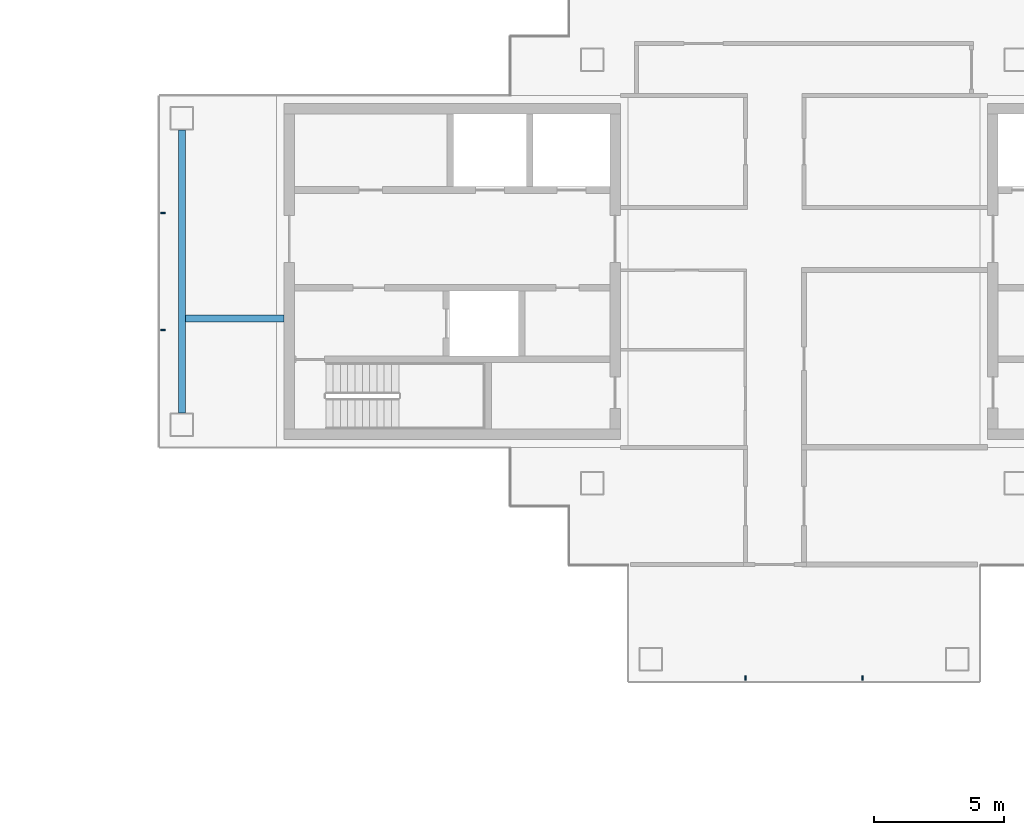
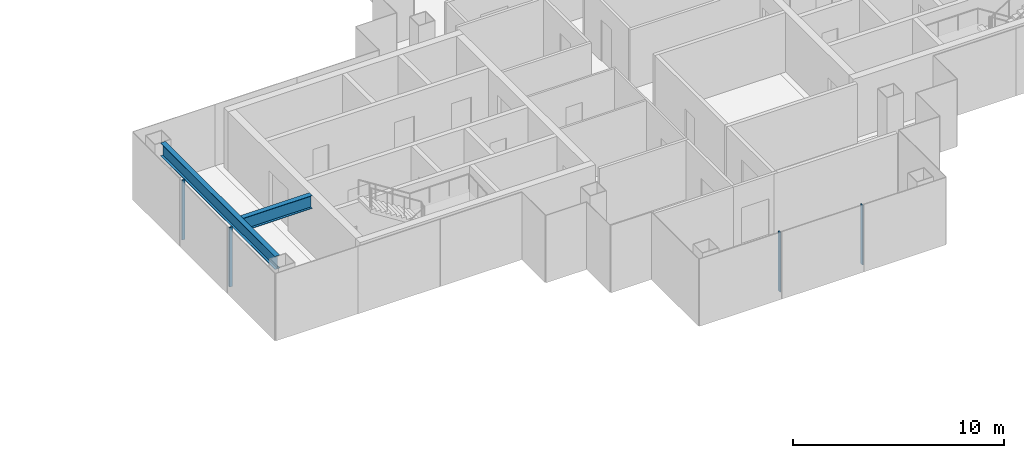
# One storey, part 5 of 15: 4 members, 2 beams, 2 elements without a shape of their own.
"""IFC4 building model written with IfcOpenShell, lengths in metres."""

from ifc_helpers import new_model, si_unit, direction, frame, origin, origin_2d, place, context, subcontext, project, spatial, rectangle, i_section, extrude, material, layer, layer_set, material_profile, profile_set, type_object, element, aggregate, save


model = new_model("IFC4")

# Units and contexts
model_context = context("Model", 3, precision=1e-05, world=origin(), true_north=direction((0.0, 1.0)))
body_context = subcontext(model_context, "Body", "Model", "MODEL_VIEW")
ifc_project = project(units=[si_unit("LENGTHUNIT", "METRE"), si_unit("AREAUNIT", "SQUARE_METRE"), si_unit("VOLUMEUNIT", "CUBIC_METRE"), si_unit("PLANEANGLEUNIT", "RADIAN"), si_unit("MASSUNIT", "GRAM", prefix="KILO")], contexts=[model_context])

# Site, building, storey
site_placement = place(None, origin())
site = spatial("IfcSite", under=ifc_project, at=site_placement, CompositionType="ELEMENT")
building_placement = place(site_placement, origin())
building = spatial("IfcBuilding", under=site, at=building_placement, Name="Shamsa Quay Exchange Towers", CompositionType="ELEMENT")
storey_placement = place(building_placement, frame((0.0, 0.0, 269.39990234375)))
storey = spatial("IfcBuildingStorey", under=building, at=storey_placement, Name="L65", CompositionType="ELEMENT", Elevation=269.39990234375)

# Curtain wall, members
ifc_material_1 = material(Name="Aluminium EN AW-6063 T6, black anodised", Category="aluminium")
ifc_layer = layer(ifc_material_1, 0.280029296875)
ifc_layer_set = layer_set([ifc_layer], Name="CW-1 UNITISED VISION GLASS")
curtain_wall_type = type_object("IfcCurtainWallType", Name="CW-1 UNITISED VISION GLASS", PredefinedType="NOTDEFINED", material=ifc_layer_set)
curtain_wall_1_placement = place(storey_placement, origin())
curtain_wall_1 = element("IfcCurtainWall", 1, at=curtain_wall_1_placement, inside=storey, type_object=curtain_wall_type, Name="CW1 T2-END-V+ L65", PredefinedType="NOTDEFINED")
ifc_material_profile_1 = material_profile(ifc_material_1, rectangle(XDim=0.179931640625, YDim=0.06005859375, at=origin_2d()), Name="MU60x180")
ifc_profile_set_1 = profile_set([ifc_material_profile_1], Name="Aluminium EN AW-6063 T6, black anodised")
member_type = type_object("IfcMemberType", Name="CW1 MULLION 60x180", PredefinedType="MULLION", material=ifc_profile_set_1)
member_1_placement = place(storey_placement, frame((9.14990234375, 2.25, 0.0)))
member_1 = element("IfcMember", 2, at=member_1_placement, type_object=member_type, Name="CW1 mullion", PredefinedType="MULLION", context=body_context, shape_type="SweptSolid", body=[
    extrude(rectangle(XDim=0.179931640625, YDim=0.06005859375, at=origin_2d()), origin(), (0.0, 0.0, 1.0), 3.4501953125),
])
member_2_placement = place(storey_placement, frame((9.14990234375, -2.25, 0.0)))
member_2 = element("IfcMember", 3, at=member_2_placement, type_object=member_type, Name="CW1 mullion", PredefinedType="MULLION", context=body_context, shape_type="SweptSolid", body=[
    extrude(rectangle(XDim=0.179931640625, YDim=0.06005859375, at=origin_2d()), origin(), (0.0, 0.0, 1.0), 3.4501953125),
])
aggregate(curtain_wall_1, [member_1, member_2])

curtain_wall_2_placement = place(storey_placement, origin())
curtain_wall_2 = element("IfcCurtainWall", 4, at=curtain_wall_2_placement, inside=storey, type_object=curtain_wall_type, Name="CW1 T2-END-U- L65", PredefinedType="NOTDEFINED")
member_3_placement = place(storey_placement, frame((31.5, -15.60009765625, 0.0), z_axis=(0.0, 0.0, 1.0), x_axis=(0.0, 1.0, 0.0)))
member_3 = element("IfcMember", 5, at=member_3_placement, type_object=member_type, Name="CW1 mullion", PredefinedType="MULLION", context=body_context, shape_type="SweptSolid", body=[
    extrude(rectangle(XDim=0.179931640625, YDim=0.06005859375, at=origin_2d()), origin(), (0.0, 0.0, 1.0), 3.4501953125),
])
member_4_placement = place(storey_placement, frame((36.0, -15.60009765625, 0.0), z_axis=(0.0, 0.0, 1.0), x_axis=(0.0, 1.0, 0.0)))
member_4 = element("IfcMember", 6, at=member_4_placement, type_object=member_type, Name="CW1 mullion", PredefinedType="MULLION", context=body_context, shape_type="SweptSolid", body=[
    extrude(rectangle(XDim=0.179931640625, YDim=0.06005859375, at=origin_2d()), origin(), (0.0, 0.0, 1.0), 3.4501953125),
])
aggregate(curtain_wall_2, [member_3, member_4])

# Beams
ifc_material_2 = material(Name="Steel S355", Category="steel")
ifc_material_profile_2 = material_profile(ifc_material_2, i_section(OverallWidth=0.26611328125, OverallDepth=0.7578125, WebThickness=0.013916015625, FlangeThickness=0.019287109375, at=origin_2d()), Name="W30x108")
ifc_profile_set_2 = profile_set([ifc_material_profile_2], Name="Steel S355")
beam_type = type_object("IfcBeamType", Name="End-zone beam W30x108", PredefinedType="BEAM", material=ifc_profile_set_2)
beam_1_placement = place(storey_placement, frame((9.875, -5.425048828125, 3.0712890625), z_axis=(0.0, 1.0, 0.0), x_axis=(-1.0, 0.0, 0.0)))
element("IfcBeam", 7, at=beam_1_placement, inside=storey, type_object=beam_type, Name="End beam T2 V+ end zone L65", PredefinedType="BEAM", context=body_context, shape_type="SweptSolid", body=[
    extrude(i_section(OverallWidth=0.26611328125, OverallDepth=0.7578125, WebThickness=0.013916015625, FlangeThickness=0.019287109375, at=origin_2d()), origin(), (0.0, 0.0, 1.0), 10.85009765625),
])
beam_2_placement = place(storey_placement, frame((13.800048828125, -1.800048828125, 3.0712890625), z_axis=(-1.0, 0.0, 0.0), x_axis=(0.0, -1.0, 0.0)))
element("IfcBeam", 8, at=beam_2_placement, inside=storey, type_object=beam_type, Name="Spine beam T2 V+ end zone L65", PredefinedType="BEAM", context=body_context, shape_type="SweptSolid", body=[
    extrude(i_section(OverallWidth=0.26611328125, OverallDepth=0.7578125, WebThickness=0.013916015625, FlangeThickness=0.019287109375, at=origin_2d()), origin(), (0.0, 0.0, 1.0), 3.7919921875),
])

save(model, "model.ifc")
